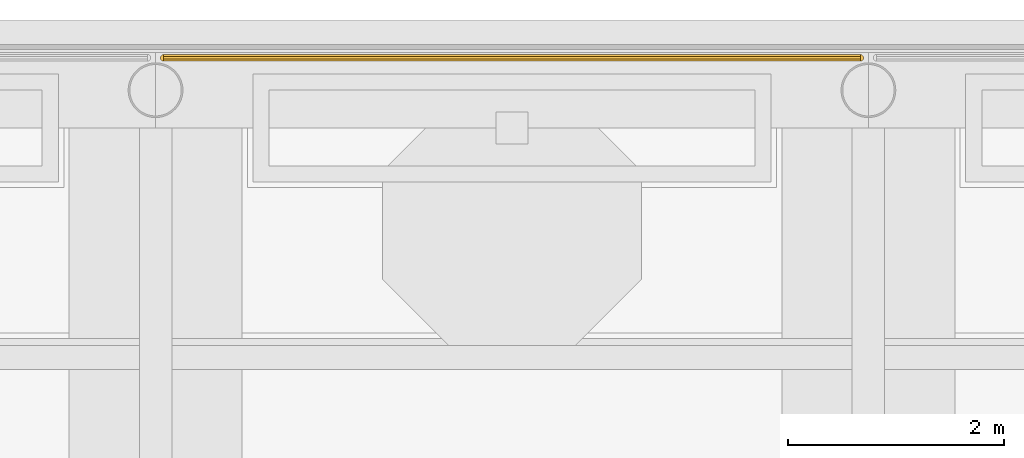
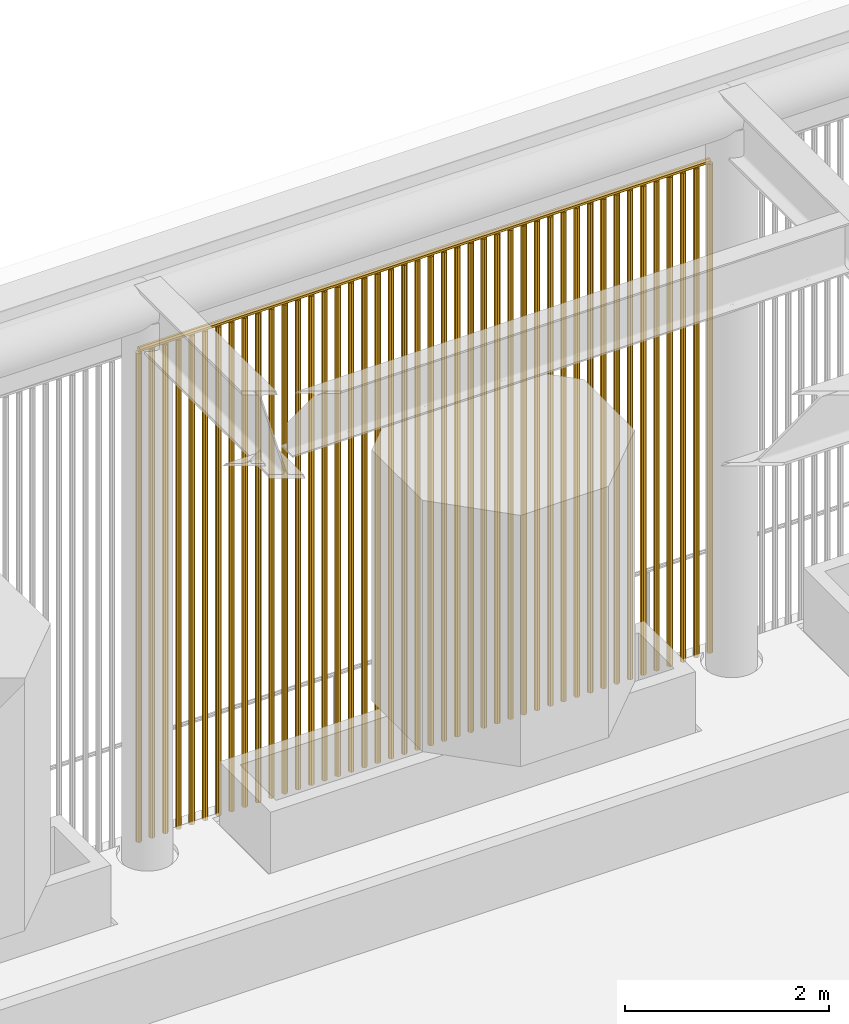
# One storey, part 20 of 22: 1 covering.
"""IFC4 building model written with IfcOpenShell, lengths in metres."""

from ifc_helpers import new_model, si_unit, direction, frame, origin, place, context, subcontext, project, spatial, polyline, outline, extrude, material, type_object, element, save


model = new_model("IFC4")

# Units and contexts
model_context = context("Model", 3, precision=1e-05, world=origin(), true_north=direction((0.0, 1.0)))
body_context = subcontext(model_context, "Body", "Model", "MODEL_VIEW")
ifc_project = project(units=[si_unit("LENGTHUNIT", "METRE"), si_unit("AREAUNIT", "SQUARE_METRE"), si_unit("VOLUMEUNIT", "CUBIC_METRE"), si_unit("PLANEANGLEUNIT", "RADIAN"), si_unit("MASSUNIT", "GRAM", prefix="KILO")], contexts=[model_context])

# Site, building, storey
site_placement = place(None, origin())
site = spatial("IfcSite", under=ifc_project, at=site_placement, CompositionType="ELEMENT")
building_placement = place(site_placement, origin())
building = spatial("IfcBuilding", under=site, at=building_placement, Name="Cobogo Forest Laboratory Tower", CompositionType="ELEMENT")
storey_placement = place(building_placement, frame((0.0, 0.0, 292.800048828125)))
storey = spatial("IfcBuildingStorey", under=building, at=storey_placement, Name="RF", CompositionType="ELEMENT", Elevation=292.800048828125)

# Covering
ifc_material = material(Name="Terracotta baguettes on a galvanised steel top rail", Category="masonry")
covering_type = type_object("IfcCoveringType", Name="CS1 crown terracotta baguette screen", PredefinedType="CLADDING", material=ifc_material)
covering_placement = place(storey_placement, frame((26.47509765625, 43.199951171875, -0.0009765625)))
element("IfcCovering", 1, at=covering_placement, inside=storey, type_object=covering_type, Name="Crown screen N3", PredefinedType="CLADDING", context=body_context, shape_type="SweptSolid", body=[
    extrude(outline(polyline([(0.02880859375, 0.011962890625), (0.011962890625, 0.02880859375), (-0.011962890625, 0.02880859375), (-0.02880859375, 0.011962890625), (-0.02880859375, -0.011962890625), (-0.011962890625, -0.02880859375), (0.011962890625, -0.02880859375), (0.02880859375, -0.011962890625), (0.02880859375, 0.011962890625)])), frame((0.0, 0.0, 5.873046875), z_axis=(1.0, 0.0, 0.0), x_axis=(0.0, 1.0, 0.0)), (0.0, 0.0, 1.0), 6.449951171875),
    extrude(outline(polyline([(0.02880859375, 0.011962890625), (0.011962890625, 0.02880859375), (-0.011962890625, 0.02880859375), (-0.02880859375, 0.011962890625), (-0.02880859375, -0.011962890625), (-0.011962890625, -0.02880859375), (0.011962890625, -0.02880859375), (0.02880859375, -0.011962890625), (0.02880859375, 0.011962890625)])), origin(), (0.0, 0.0, 1.0), 5.841796875),
    extrude(outline(polyline([(0.02880859375, 0.011962890625), (0.011962890625, 0.02880859375), (-0.011962890625, 0.02880859375), (-0.02880859375, 0.011962890625), (-0.02880859375, -0.011962890625), (-0.011962890625, -0.02880859375), (0.011962890625, -0.02880859375), (0.02880859375, -0.011962890625), (0.02880859375, 0.011962890625)])), frame((0.14990234375, 0.0, 0.0)), (0.0, 0.0, 1.0), 5.841796875),
    extrude(outline(polyline([(0.02880859375, 0.011962890625), (0.011962890625, 0.02880859375), (-0.011962890625, 0.02880859375), (-0.02880859375, 0.011962890625), (-0.02880859375, -0.011962890625), (-0.011962890625, -0.02880859375), (0.011962890625, -0.02880859375), (0.02880859375, -0.011962890625), (0.02880859375, 0.011962890625)])), frame((0.300048828125, 0.0, 0.0)), (0.0, 0.0, 1.0), 5.841796875),
    extrude(outline(polyline([(0.02880859375, 0.011962890625), (0.011962890625, 0.02880859375), (-0.011962890625, 0.02880859375), (-0.02880859375, 0.011962890625), (-0.02880859375, -0.011962890625), (-0.011962890625, -0.02880859375), (0.011962890625, -0.02880859375), (0.02880859375, -0.011962890625), (0.02880859375, 0.011962890625)])), frame((0.449951171875, 0.0, 0.0)), (0.0, 0.0, 1.0), 5.841796875),
    extrude(outline(polyline([(0.02880859375, 0.011962890625), (0.011962890625, 0.02880859375), (-0.011962890625, 0.02880859375), (-0.02880859375, 0.011962890625), (-0.02880859375, -0.011962890625), (-0.011962890625, -0.02880859375), (0.011962890625, -0.02880859375), (0.02880859375, -0.011962890625), (0.02880859375, 0.011962890625)])), frame((0.60009765625, 0.0, 0.0)), (0.0, 0.0, 1.0), 5.841796875),
    extrude(outline(polyline([(0.02880859375, 0.011962890625), (0.011962890625, 0.02880859375), (-0.011962890625, 0.02880859375), (-0.02880859375, 0.011962890625), (-0.02880859375, -0.011962890625), (-0.011962890625, -0.02880859375), (0.011962890625, -0.02880859375), (0.02880859375, -0.011962890625), (0.02880859375, 0.011962890625)])), frame((0.75, 0.0, 0.0)), (0.0, 0.0, 1.0), 5.841796875),
    extrude(outline(polyline([(0.02880859375, 0.011962890625), (0.011962890625, 0.02880859375), (-0.011962890625, 0.02880859375), (-0.02880859375, 0.011962890625), (-0.02880859375, -0.011962890625), (-0.011962890625, -0.02880859375), (0.011962890625, -0.02880859375), (0.02880859375, -0.011962890625), (0.02880859375, 0.011962890625)])), frame((0.89990234375, 0.0, 0.0)), (0.0, 0.0, 1.0), 5.841796875),
    extrude(outline(polyline([(0.02880859375, 0.011962890625), (0.011962890625, 0.02880859375), (-0.011962890625, 0.02880859375), (-0.02880859375, 0.011962890625), (-0.02880859375, -0.011962890625), (-0.011962890625, -0.02880859375), (0.011962890625, -0.02880859375), (0.02880859375, -0.011962890625), (0.02880859375, 0.011962890625)])), frame((1.050048828125, 0.0, 0.0)), (0.0, 0.0, 1.0), 5.841796875),
    extrude(outline(polyline([(0.02880859375, 0.011962890625), (0.011962890625, 0.02880859375), (-0.011962890625, 0.02880859375), (-0.02880859375, 0.011962890625), (-0.02880859375, -0.011962890625), (-0.011962890625, -0.02880859375), (0.011962890625, -0.02880859375), (0.02880859375, -0.011962890625), (0.02880859375, 0.011962890625)])), frame((1.199951171875, 0.0, 0.0)), (0.0, 0.0, 1.0), 5.841796875),
    extrude(outline(polyline([(0.02880859375, 0.011962890625), (0.011962890625, 0.02880859375), (-0.011962890625, 0.02880859375), (-0.02880859375, 0.011962890625), (-0.02880859375, -0.011962890625), (-0.011962890625, -0.02880859375), (0.011962890625, -0.02880859375), (0.02880859375, -0.011962890625), (0.02880859375, 0.011962890625)])), frame((1.35009765625, 0.0, 0.0)), (0.0, 0.0, 1.0), 5.841796875),
    extrude(outline(polyline([(0.02880859375, 0.011962890625), (0.011962890625, 0.02880859375), (-0.011962890625, 0.02880859375), (-0.02880859375, 0.011962890625), (-0.02880859375, -0.011962890625), (-0.011962890625, -0.02880859375), (0.011962890625, -0.02880859375), (0.02880859375, -0.011962890625), (0.02880859375, 0.011962890625)])), frame((1.5, 0.0, 0.0)), (0.0, 0.0, 1.0), 5.841796875),
    extrude(outline(polyline([(0.02880859375, 0.011962890625), (0.011962890625, 0.02880859375), (-0.011962890625, 0.02880859375), (-0.02880859375, 0.011962890625), (-0.02880859375, -0.011962890625), (-0.011962890625, -0.02880859375), (0.011962890625, -0.02880859375), (0.02880859375, -0.011962890625), (0.02880859375, 0.011962890625)])), frame((1.64990234375, 0.0, 0.0)), (0.0, 0.0, 1.0), 5.841796875),
    extrude(outline(polyline([(0.02880859375, 0.011962890625), (0.011962890625, 0.02880859375), (-0.011962890625, 0.02880859375), (-0.02880859375, 0.011962890625), (-0.02880859375, -0.011962890625), (-0.011962890625, -0.02880859375), (0.011962890625, -0.02880859375), (0.02880859375, -0.011962890625), (0.02880859375, 0.011962890625)])), frame((1.800048828125, 0.0, 0.0)), (0.0, 0.0, 1.0), 5.841796875),
    extrude(outline(polyline([(0.02880859375, 0.011962890625), (0.011962890625, 0.02880859375), (-0.011962890625, 0.02880859375), (-0.02880859375, 0.011962890625), (-0.02880859375, -0.011962890625), (-0.011962890625, -0.02880859375), (0.011962890625, -0.02880859375), (0.02880859375, -0.011962890625), (0.02880859375, 0.011962890625)])), frame((1.949951171875, 0.0, 0.0)), (0.0, 0.0, 1.0), 5.841796875),
    extrude(outline(polyline([(0.02880859375, 0.011962890625), (0.011962890625, 0.02880859375), (-0.011962890625, 0.02880859375), (-0.02880859375, 0.011962890625), (-0.02880859375, -0.011962890625), (-0.011962890625, -0.02880859375), (0.011962890625, -0.02880859375), (0.02880859375, -0.011962890625), (0.02880859375, 0.011962890625)])), frame((2.10009765625, 0.0, 0.0)), (0.0, 0.0, 1.0), 5.841796875),
    extrude(outline(polyline([(0.02880859375, 0.011962890625), (0.011962890625, 0.02880859375), (-0.011962890625, 0.02880859375), (-0.02880859375, 0.011962890625), (-0.02880859375, -0.011962890625), (-0.011962890625, -0.02880859375), (0.011962890625, -0.02880859375), (0.02880859375, -0.011962890625), (0.02880859375, 0.011962890625)])), frame((2.25, 0.0, 0.0)), (0.0, 0.0, 1.0), 5.841796875),
    extrude(outline(polyline([(0.02880859375, 0.011962890625), (0.011962890625, 0.02880859375), (-0.011962890625, 0.02880859375), (-0.02880859375, 0.011962890625), (-0.02880859375, -0.011962890625), (-0.011962890625, -0.02880859375), (0.011962890625, -0.02880859375), (0.02880859375, -0.011962890625), (0.02880859375, 0.011962890625)])), frame((2.39990234375, 0.0, 0.0)), (0.0, 0.0, 1.0), 5.841796875),
    extrude(outline(polyline([(0.02880859375, 0.011962890625), (0.011962890625, 0.02880859375), (-0.011962890625, 0.02880859375), (-0.02880859375, 0.011962890625), (-0.02880859375, -0.011962890625), (-0.011962890625, -0.02880859375), (0.011962890625, -0.02880859375), (0.02880859375, -0.011962890625), (0.02880859375, 0.011962890625)])), frame((2.550048828125, 0.0, 0.0)), (0.0, 0.0, 1.0), 5.841796875),
    extrude(outline(polyline([(0.02880859375, 0.011962890625), (0.011962890625, 0.02880859375), (-0.011962890625, 0.02880859375), (-0.02880859375, 0.011962890625), (-0.02880859375, -0.011962890625), (-0.011962890625, -0.02880859375), (0.011962890625, -0.02880859375), (0.02880859375, -0.011962890625), (0.02880859375, 0.011962890625)])), frame((2.699951171875, 0.0, 0.0)), (0.0, 0.0, 1.0), 5.841796875),
    extrude(outline(polyline([(0.02880859375, 0.011962890625), (0.011962890625, 0.02880859375), (-0.011962890625, 0.02880859375), (-0.02880859375, 0.011962890625), (-0.02880859375, -0.011962890625), (-0.011962890625, -0.02880859375), (0.011962890625, -0.02880859375), (0.02880859375, -0.011962890625), (0.02880859375, 0.011962890625)])), frame((2.85009765625, 0.0, 0.0)), (0.0, 0.0, 1.0), 5.841796875),
    extrude(outline(polyline([(0.02880859375, 0.011962890625), (0.011962890625, 0.02880859375), (-0.011962890625, 0.02880859375), (-0.02880859375, 0.011962890625), (-0.02880859375, -0.011962890625), (-0.011962890625, -0.02880859375), (0.011962890625, -0.02880859375), (0.02880859375, -0.011962890625), (0.02880859375, 0.011962890625)])), frame((3.0, 0.0, 0.0)), (0.0, 0.0, 1.0), 5.841796875),
    extrude(outline(polyline([(0.02880859375, 0.011962890625), (0.011962890625, 0.02880859375), (-0.011962890625, 0.02880859375), (-0.02880859375, 0.011962890625), (-0.02880859375, -0.011962890625), (-0.011962890625, -0.02880859375), (0.011962890625, -0.02880859375), (0.02880859375, -0.011962890625), (0.02880859375, 0.011962890625)])), frame((3.14990234375, 0.0, 0.0)), (0.0, 0.0, 1.0), 5.841796875),
    extrude(outline(polyline([(0.02880859375, 0.011962890625), (0.011962890625, 0.02880859375), (-0.011962890625, 0.02880859375), (-0.02880859375, 0.011962890625), (-0.02880859375, -0.011962890625), (-0.011962890625, -0.02880859375), (0.011962890625, -0.02880859375), (0.02880859375, -0.011962890625), (0.02880859375, 0.011962890625)])), frame((3.300048828125, 0.0, 0.0)), (0.0, 0.0, 1.0), 5.841796875),
    extrude(outline(polyline([(0.02880859375, 0.011962890625), (0.011962890625, 0.02880859375), (-0.011962890625, 0.02880859375), (-0.02880859375, 0.011962890625), (-0.02880859375, -0.011962890625), (-0.011962890625, -0.02880859375), (0.011962890625, -0.02880859375), (0.02880859375, -0.011962890625), (0.02880859375, 0.011962890625)])), frame((3.449951171875, 0.0, 0.0)), (0.0, 0.0, 1.0), 5.841796875),
    extrude(outline(polyline([(0.02880859375, 0.011962890625), (0.011962890625, 0.02880859375), (-0.011962890625, 0.02880859375), (-0.02880859375, 0.011962890625), (-0.02880859375, -0.011962890625), (-0.011962890625, -0.02880859375), (0.011962890625, -0.02880859375), (0.02880859375, -0.011962890625), (0.02880859375, 0.011962890625)])), frame((3.599853515625, 0.0, 0.0)), (0.0, 0.0, 1.0), 5.841796875),
    extrude(outline(polyline([(0.02880859375, 0.011962890625), (0.011962890625, 0.02880859375), (-0.011962890625, 0.02880859375), (-0.02880859375, 0.011962890625), (-0.02880859375, -0.011962890625), (-0.011962890625, -0.02880859375), (0.011962890625, -0.02880859375), (0.02880859375, -0.011962890625), (0.02880859375, 0.011962890625)])), frame((3.75, 0.0, 0.0)), (0.0, 0.0, 1.0), 5.841796875),
    extrude(outline(polyline([(0.02880859375, 0.011962890625), (0.011962890625, 0.02880859375), (-0.011962890625, 0.02880859375), (-0.02880859375, 0.011962890625), (-0.02880859375, -0.011962890625), (-0.011962890625, -0.02880859375), (0.011962890625, -0.02880859375), (0.02880859375, -0.011962890625), (0.02880859375, 0.011962890625)])), frame((3.89990234375, 0.0, 0.0)), (0.0, 0.0, 1.0), 5.841796875),
    extrude(outline(polyline([(0.02880859375, 0.011962890625), (0.011962890625, 0.02880859375), (-0.011962890625, 0.02880859375), (-0.02880859375, 0.011962890625), (-0.02880859375, -0.011962890625), (-0.011962890625, -0.02880859375), (0.011962890625, -0.02880859375), (0.02880859375, -0.011962890625), (0.02880859375, 0.011962890625)])), frame((4.050048828125, 0.0, 0.0)), (0.0, 0.0, 1.0), 5.841796875),
    extrude(outline(polyline([(0.02880859375, 0.011962890625), (0.011962890625, 0.02880859375), (-0.011962890625, 0.02880859375), (-0.02880859375, 0.011962890625), (-0.02880859375, -0.011962890625), (-0.011962890625, -0.02880859375), (0.011962890625, -0.02880859375), (0.02880859375, -0.011962890625), (0.02880859375, 0.011962890625)])), frame((4.199951171875, 0.0, 0.0)), (0.0, 0.0, 1.0), 5.841796875),
    extrude(outline(polyline([(0.02880859375, 0.011962890625), (0.011962890625, 0.02880859375), (-0.011962890625, 0.02880859375), (-0.02880859375, 0.011962890625), (-0.02880859375, -0.011962890625), (-0.011962890625, -0.02880859375), (0.011962890625, -0.02880859375), (0.02880859375, -0.011962890625), (0.02880859375, 0.011962890625)])), frame((4.349853515625, 0.0, 0.0)), (0.0, 0.0, 1.0), 5.841796875),
    extrude(outline(polyline([(0.02880859375, 0.011962890625), (0.011962890625, 0.02880859375), (-0.011962890625, 0.02880859375), (-0.02880859375, 0.011962890625), (-0.02880859375, -0.011962890625), (-0.011962890625, -0.02880859375), (0.011962890625, -0.02880859375), (0.02880859375, -0.011962890625), (0.02880859375, 0.011962890625)])), frame((4.5, 0.0, 0.0)), (0.0, 0.0, 1.0), 5.841796875),
    extrude(outline(polyline([(0.02880859375, 0.011962890625), (0.011962890625, 0.02880859375), (-0.011962890625, 0.02880859375), (-0.02880859375, 0.011962890625), (-0.02880859375, -0.011962890625), (-0.011962890625, -0.02880859375), (0.011962890625, -0.02880859375), (0.02880859375, -0.011962890625), (0.02880859375, 0.011962890625)])), frame((4.64990234375, 0.0, 0.0)), (0.0, 0.0, 1.0), 5.841796875),
    extrude(outline(polyline([(0.02880859375, 0.011962890625), (0.011962890625, 0.02880859375), (-0.011962890625, 0.02880859375), (-0.02880859375, 0.011962890625), (-0.02880859375, -0.011962890625), (-0.011962890625, -0.02880859375), (0.011962890625, -0.02880859375), (0.02880859375, -0.011962890625), (0.02880859375, 0.011962890625)])), frame((4.800048828125, 0.0, 0.0)), (0.0, 0.0, 1.0), 5.841796875),
    extrude(outline(polyline([(0.02880859375, 0.011962890625), (0.011962890625, 0.02880859375), (-0.011962890625, 0.02880859375), (-0.02880859375, 0.011962890625), (-0.02880859375, -0.011962890625), (-0.011962890625, -0.02880859375), (0.011962890625, -0.02880859375), (0.02880859375, -0.011962890625), (0.02880859375, 0.011962890625)])), frame((4.949951171875, 0.0, 0.0)), (0.0, 0.0, 1.0), 5.841796875),
    extrude(outline(polyline([(0.02880859375, 0.011962890625), (0.011962890625, 0.02880859375), (-0.011962890625, 0.02880859375), (-0.02880859375, 0.011962890625), (-0.02880859375, -0.011962890625), (-0.011962890625, -0.02880859375), (0.011962890625, -0.02880859375), (0.02880859375, -0.011962890625), (0.02880859375, 0.011962890625)])), frame((5.099853515625, 0.0, 0.0)), (0.0, 0.0, 1.0), 5.841796875),
    extrude(outline(polyline([(0.02880859375, 0.011962890625), (0.011962890625, 0.02880859375), (-0.011962890625, 0.02880859375), (-0.02880859375, 0.011962890625), (-0.02880859375, -0.011962890625), (-0.011962890625, -0.02880859375), (0.011962890625, -0.02880859375), (0.02880859375, -0.011962890625), (0.02880859375, 0.011962890625)])), frame((5.25, 0.0, 0.0)), (0.0, 0.0, 1.0), 5.841796875),
    extrude(outline(polyline([(0.02880859375, 0.011962890625), (0.011962890625, 0.02880859375), (-0.011962890625, 0.02880859375), (-0.02880859375, 0.011962890625), (-0.02880859375, -0.011962890625), (-0.011962890625, -0.02880859375), (0.011962890625, -0.02880859375), (0.02880859375, -0.011962890625), (0.02880859375, 0.011962890625)])), frame((5.39990234375, 0.0, 0.0)), (0.0, 0.0, 1.0), 5.841796875),
    extrude(outline(polyline([(0.02880859375, 0.011962890625), (0.011962890625, 0.02880859375), (-0.011962890625, 0.02880859375), (-0.02880859375, 0.011962890625), (-0.02880859375, -0.011962890625), (-0.011962890625, -0.02880859375), (0.011962890625, -0.02880859375), (0.02880859375, -0.011962890625), (0.02880859375, 0.011962890625)])), frame((5.550048828125, 0.0, 0.0)), (0.0, 0.0, 1.0), 5.841796875),
    extrude(outline(polyline([(0.02880859375, 0.011962890625), (0.011962890625, 0.02880859375), (-0.011962890625, 0.02880859375), (-0.02880859375, 0.011962890625), (-0.02880859375, -0.011962890625), (-0.011962890625, -0.02880859375), (0.011962890625, -0.02880859375), (0.02880859375, -0.011962890625), (0.02880859375, 0.011962890625)])), frame((5.699951171875, 0.0, 0.0)), (0.0, 0.0, 1.0), 5.841796875),
    extrude(outline(polyline([(0.02880859375, 0.011962890625), (0.011962890625, 0.02880859375), (-0.011962890625, 0.02880859375), (-0.02880859375, 0.011962890625), (-0.02880859375, -0.011962890625), (-0.011962890625, -0.02880859375), (0.011962890625, -0.02880859375), (0.02880859375, -0.011962890625), (0.02880859375, 0.011962890625)])), frame((5.849853515625, 0.0, 0.0)), (0.0, 0.0, 1.0), 5.841796875),
    extrude(outline(polyline([(0.02880859375, 0.011962890625), (0.011962890625, 0.02880859375), (-0.011962890625, 0.02880859375), (-0.02880859375, 0.011962890625), (-0.02880859375, -0.011962890625), (-0.011962890625, -0.02880859375), (0.011962890625, -0.02880859375), (0.02880859375, -0.011962890625), (0.02880859375, 0.011962890625)])), frame((6.0, 0.0, 0.0)), (0.0, 0.0, 1.0), 5.841796875),
    extrude(outline(polyline([(0.02880859375, 0.011962890625), (0.011962890625, 0.02880859375), (-0.011962890625, 0.02880859375), (-0.02880859375, 0.011962890625), (-0.02880859375, -0.011962890625), (-0.011962890625, -0.02880859375), (0.011962890625, -0.02880859375), (0.02880859375, -0.011962890625), (0.02880859375, 0.011962890625)])), frame((6.14990234375, 0.0, 0.0)), (0.0, 0.0, 1.0), 5.841796875),
    extrude(outline(polyline([(0.02880859375, 0.011962890625), (0.011962890625, 0.02880859375), (-0.011962890625, 0.02880859375), (-0.02880859375, 0.011962890625), (-0.02880859375, -0.011962890625), (-0.011962890625, -0.02880859375), (0.011962890625, -0.02880859375), (0.02880859375, -0.011962890625), (0.02880859375, 0.011962890625)])), frame((6.300048828125, 0.0, 0.0)), (0.0, 0.0, 1.0), 5.841796875),
    extrude(outline(polyline([(0.02880859375, 0.011962890625), (0.011962890625, 0.02880859375), (-0.011962890625, 0.02880859375), (-0.02880859375, 0.011962890625), (-0.02880859375, -0.011962890625), (-0.011962890625, -0.02880859375), (0.011962890625, -0.02880859375), (0.02880859375, -0.011962890625), (0.02880859375, 0.011962890625)])), frame((6.449951171875, 0.0, 0.0)), (0.0, 0.0, 1.0), 5.841796875),
])

save(model, "model.ifc")
